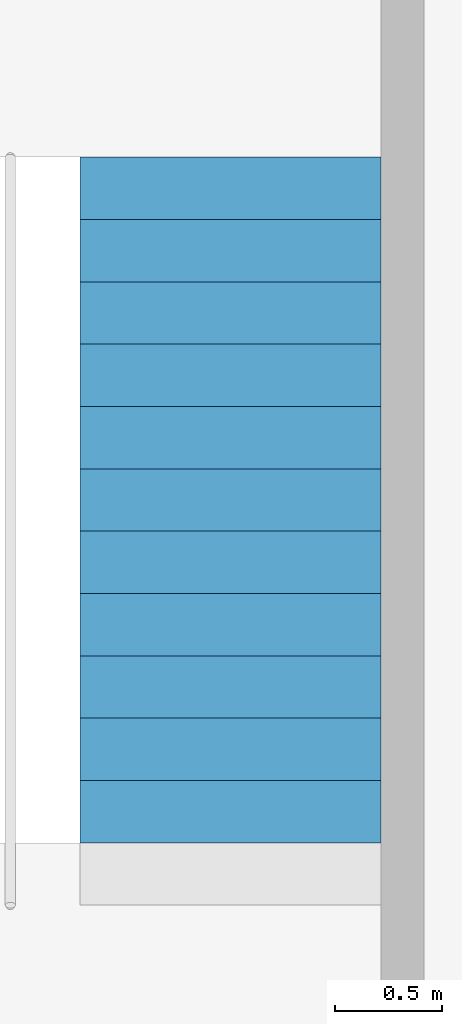
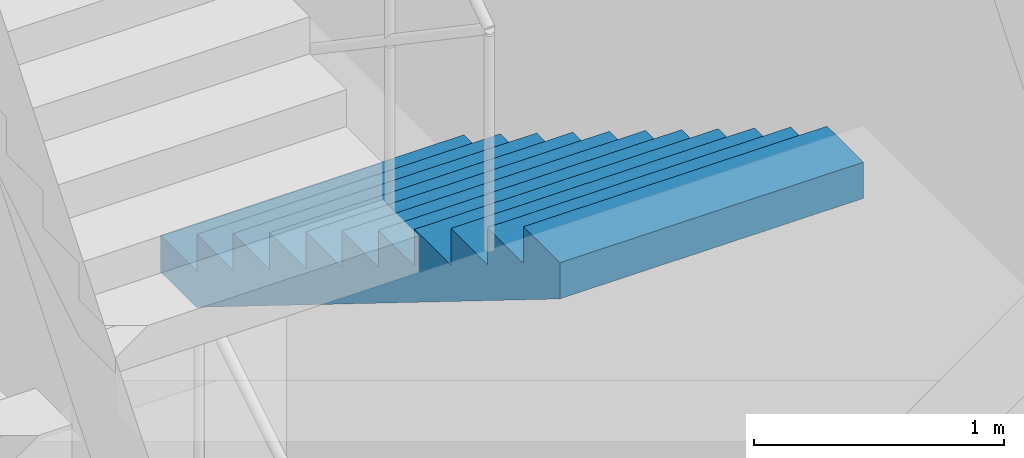
# One storey, part 12 of 14: 1 stair flight, 1 element without a shape of its own.
"""IFC4 building model written with IfcOpenShell, lengths in metres."""

from ifc_helpers import new_model, si_unit, direction, frame, origin, place, context, subcontext, project, spatial, polyline, outline, extrude, material, type_object, element, aggregate, save


model = new_model("IFC4")

# Units and contexts
model_context = context("Model", 3, precision=1e-05, world=origin(), true_north=direction((0.0, 1.0)))
body_context = subcontext(model_context, "Body", "Model", "MODEL_VIEW")
ifc_project = project(units=[si_unit("LENGTHUNIT", "METRE"), si_unit("AREAUNIT", "SQUARE_METRE"), si_unit("VOLUMEUNIT", "CUBIC_METRE"), si_unit("PLANEANGLEUNIT", "RADIAN"), si_unit("MASSUNIT", "GRAM", prefix="KILO")], contexts=[model_context])

# Site, building, storey
site_placement = place(None, origin())
site = spatial("IfcSite", under=ifc_project, at=site_placement, CompositionType="ELEMENT")
building_placement = place(site_placement, origin())
building = spatial("IfcBuilding", under=site, at=building_placement, Name="Immortelle Media Tower", CompositionType="ELEMENT")
storey_placement = place(building_placement, origin())
storey = spatial("IfcBuildingStorey", under=building, at=storey_placement, Name="G", CompositionType="ELEMENT", Elevation=0.0)

# Stair, stair flight
ifc_material = material(Name="Steel ASTM A992 Gr 50", Category="steel")
stair_type = type_object("IfcStairType", Name="Stair with flights", PredefinedType="DOUBLE_RETURN_STAIR", material=ifc_material)
stair_placement = place(storey_placement, origin())
stair = element("IfcStair", 1, at=stair_placement, inside=storey, type_object=stair_type, Name="Exit stair NE2", PredefinedType="DOUBLE_RETURN_STAIR")
stair_flight_type = type_object("IfcStairFlightType", Name="Stair flight 1400", PredefinedType="STRAIGHT", material=ifc_material)
stair_flight_placement = place(storey_placement, frame((38.449951171875, 37.72998046875, 2.340087890625), z_axis=(0.0, 0.0, 1.0), x_axis=(0.0, -1.0, 0.0)))
stair_flight = element("IfcStairFlight", 2, at=stair_flight_placement, type_object=stair_flight_type, Name="ST NE2 flight 2", NumberOfRisers=12, NumberOfTreads=11, PredefinedType="STRAIGHT", RiserHeight=0.18, TreadLength=0.29, context=body_context, shape_type="SweptSolid", body=[
    extrude(outline(polyline([(0.0, 0.0), (0.0, 0.179931640625), (0.2900390625, 0.179931640625), (0.2900390625, 0.360107421875), (0.580078125, 0.360107421875), (0.580078125, 0.5400390625), (0.8701171875, 0.5400390625), (0.8701171875, 0.719970703125), (1.159912109375, 0.719970703125), (1.159912109375, 0.89990234375), (1.449951171875, 0.89990234375), (1.449951171875, 1.080078125), (1.739990234375, 1.080078125), (1.739990234375, 1.260009765625), (2.030029296875, 1.260009765625), (2.030029296875, 1.43994140625), (2.320068359375, 1.43994140625), (2.320068359375, 1.6201171875), (2.610107421875, 1.6201171875), (2.610107421875, 1.800048828125), (2.89990234375, 1.800048828125), (2.89990234375, 1.97998046875), (3.18994140625, 1.97998046875), (3.18994140625, 2.159912109375), (3.18994140625, 1.803466796875), (0.2841796875, 0.0), (0.0, 0.0)])), frame((0.0, 0.699951171875, 0.0), z_axis=(0.0, -1.0, 0.0), x_axis=(1.0, 0.0, 0.0)), (0.0, 0.0, 1.0), 1.39990234375),
])
aggregate(stair, [stair_flight])

save(model, "model.ifc")
